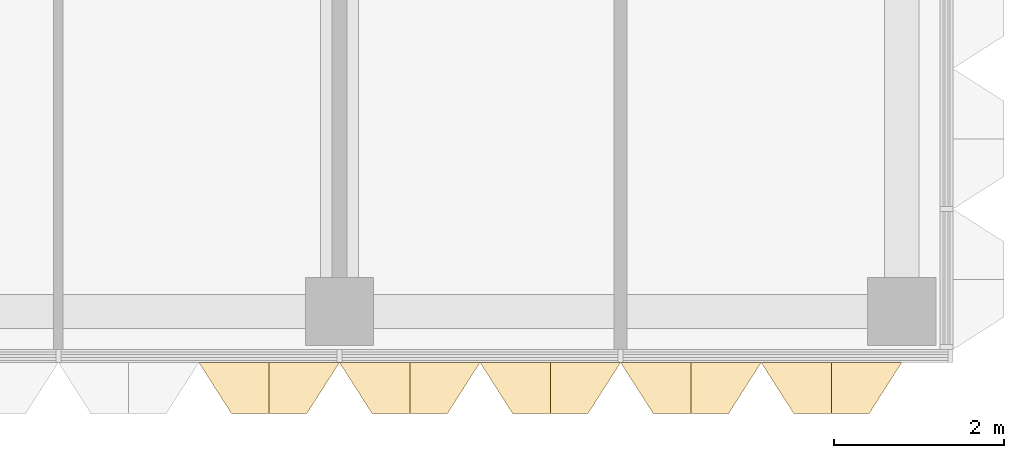
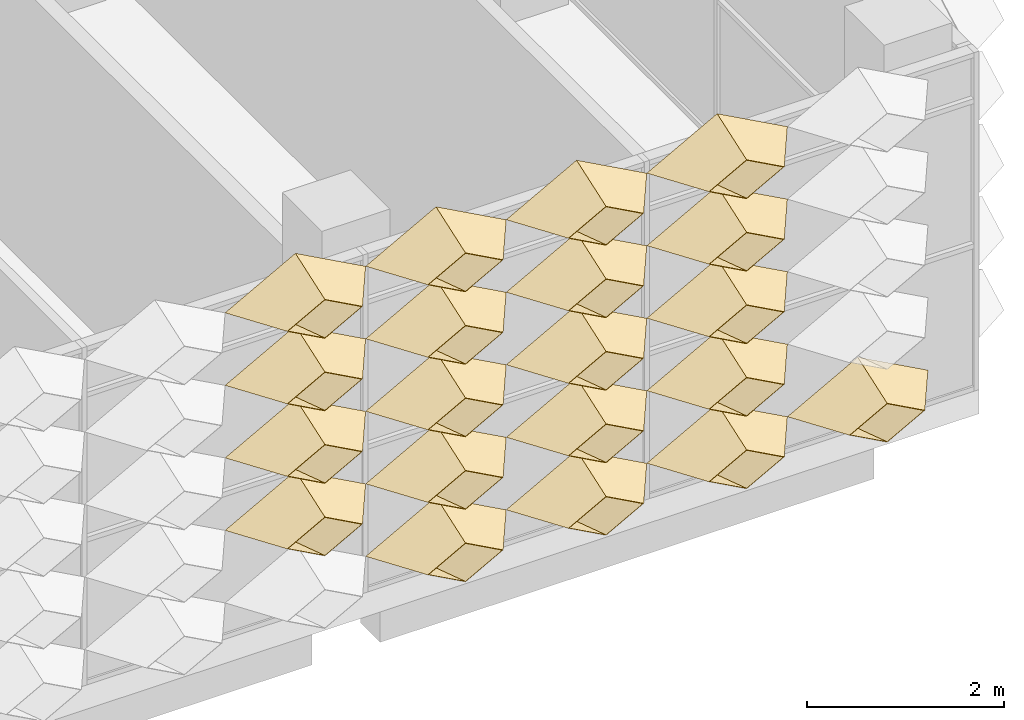
# One storey, part 50 of 61: 20 coverings.
"""IFC4 building model written with IfcOpenShell, lengths in metres."""

from ifc_helpers import new_model, entity, si_unit, direction, frame, origin, place, context, subcontext, project, spatial, material, layer, layer_set, type_object, element, save


model = new_model("IFC4")

# Units and contexts
model_context = context("Model", 3, precision=1e-05, world=origin(), true_north=direction((0.0, 1.0)))
body_context = subcontext(model_context, "Body", "Model", "MODEL_VIEW")
ifc_project = project(units=[si_unit("LENGTHUNIT", "METRE"), si_unit("AREAUNIT", "SQUARE_METRE"), si_unit("VOLUMEUNIT", "CUBIC_METRE"), si_unit("PLANEANGLEUNIT", "RADIAN"), si_unit("MASSUNIT", "GRAM", prefix="KILO")], contexts=[model_context])

# Site, building, storey
site_placement = place(None, origin())
site = spatial("IfcSite", under=ifc_project, at=site_placement, CompositionType="ELEMENT")
building_placement = place(site_placement, origin())
building = spatial("IfcBuilding", under=site, at=building_placement, Name="Lantern Court Research Institute", CompositionType="ELEMENT")
storey_placement = place(building_placement, frame((0.0, 0.0, 23.39990234375)))
storey = spatial("IfcBuildingStorey", under=building, at=storey_placement, Name="L05", CompositionType="ELEMENT", Elevation=23.39990234375)

# Coverings
ifc_material = material(Name="Anodised aluminium", Category="aluminium")
ifc_layer = layer(ifc_material, 0.01611328125)
ifc_layer_set = layer_set([ifc_layer], Name="Anodised aluminium")
covering_type = type_object("IfcCoveringType", Name="Fin cassette 1650 x 900 x 600 aluminium", PredefinedType="CLADDING", material=ifc_layer_set)
covering_1_placement = place(storey_placement, frame((73.425048828125, -8.39990234375, 0.4501953125), z_axis=(0.0, -1.0, 0.0), x_axis=(1.0, 0.0, 0.0)))
cartesian_point_1 = entity("IfcCartesianPoint", [0.824951171875, 0.0])
cartesian_point_2 = entity("IfcCartesianPoint", [0.79150390625, 0.0])
cartesian_point_3 = entity("IfcCartesianPoint", [0.44189453125, 0.0])
cartesian_point_4 = entity("IfcCartesianPoint", [0.43359375, 0.0])
element("IfcCovering", 1, at=covering_1_placement, inside=storey, type_object=covering_type, Name="Fin cassette V5S-L05 1.45", PredefinedType="CLADDING", context=body_context, shape_type="SweptSolid", body=[
    entity("IfcExtrudedAreaSolidTapered", entity("IfcArbitraryProfileDefWithVoids", "AREA", None, entity("IfcPolyline", [cartesian_point_1, entity("IfcCartesianPoint", [0.0, 0.449951171875]), entity("IfcCartesianPoint", [-0.824951171875, 0.0]), entity("IfcCartesianPoint", [0.0, -0.449951171875]), cartesian_point_1]), [entity("IfcPolyline", [cartesian_point_2, entity("IfcCartesianPoint", [0.0, 0.431884765625]), entity("IfcCartesianPoint", [-0.79150390625, 0.0]), entity("IfcCartesianPoint", [0.0, -0.431884765625]), cartesian_point_2])]), entity("IfcAxis2Placement3D", entity("IfcCartesianPoint", [0.0, 0.0, 0.0])), entity("IfcDirection", [0.0, 0.0, 1.0]), 0.60009765625, entity("IfcArbitraryProfileDefWithVoids", "AREA", None, entity("IfcPolyline", [cartesian_point_3, entity("IfcCartesianPoint", [0.0, 0.240966796875]), entity("IfcCartesianPoint", [-0.44189453125, 0.0]), entity("IfcCartesianPoint", [0.0, -0.240966796875]), cartesian_point_3]), [entity("IfcPolyline", [cartesian_point_4, entity("IfcCartesianPoint", [0.0, 0.236572265625]), entity("IfcCartesianPoint", [-0.43359375, 0.0]), entity("IfcCartesianPoint", [0.0, -0.236572265625]), cartesian_point_4])])),
])
covering_2_placement = place(storey_placement, frame((75.074951171875, -8.39990234375, 0.4501953125), z_axis=(0.0, -1.0, 0.0), x_axis=(1.0, 0.0, 0.0)))
cartesian_point_5 = entity("IfcCartesianPoint", [0.824951171875, 0.0])
cartesian_point_6 = entity("IfcCartesianPoint", [0.79150390625, 0.0])
cartesian_point_7 = entity("IfcCartesianPoint", [0.44189453125, 0.0])
cartesian_point_8 = entity("IfcCartesianPoint", [0.43359375, 0.0])
element("IfcCovering", 2, at=covering_2_placement, inside=storey, type_object=covering_type, Name="Fin cassette V5S-L05 1.46", PredefinedType="CLADDING", context=body_context, shape_type="SweptSolid", body=[
    entity("IfcExtrudedAreaSolidTapered", entity("IfcArbitraryProfileDefWithVoids", "AREA", None, entity("IfcPolyline", [cartesian_point_5, entity("IfcCartesianPoint", [0.0, 0.449951171875]), entity("IfcCartesianPoint", [-0.824951171875, 0.0]), entity("IfcCartesianPoint", [0.0, -0.449951171875]), cartesian_point_5]), [entity("IfcPolyline", [cartesian_point_6, entity("IfcCartesianPoint", [0.0, 0.431884765625]), entity("IfcCartesianPoint", [-0.79150390625, 0.0]), entity("IfcCartesianPoint", [0.0, -0.431884765625]), cartesian_point_6])]), entity("IfcAxis2Placement3D", entity("IfcCartesianPoint", [0.0, 0.0, 0.0])), entity("IfcDirection", [0.0, 0.0, 1.0]), 0.60009765625, entity("IfcArbitraryProfileDefWithVoids", "AREA", None, entity("IfcPolyline", [cartesian_point_7, entity("IfcCartesianPoint", [0.0, 0.240966796875]), entity("IfcCartesianPoint", [-0.44189453125, 0.0]), entity("IfcCartesianPoint", [0.0, -0.240966796875]), cartesian_point_7]), [entity("IfcPolyline", [cartesian_point_8, entity("IfcCartesianPoint", [0.0, 0.236572265625]), entity("IfcCartesianPoint", [-0.43359375, 0.0]), entity("IfcCartesianPoint", [0.0, -0.236572265625]), cartesian_point_8])])),
])
covering_3_placement = place(storey_placement, frame((76.72509765625, -8.39990234375, 0.4501953125), z_axis=(0.0, -1.0, 0.0), x_axis=(1.0, 0.0, 0.0)))
cartesian_point_9 = entity("IfcCartesianPoint", [0.824951171875, 0.0])
cartesian_point_10 = entity("IfcCartesianPoint", [0.79150390625, 0.0])
cartesian_point_11 = entity("IfcCartesianPoint", [0.44189453125, 0.0])
cartesian_point_12 = entity("IfcCartesianPoint", [0.43359375, 0.0])
element("IfcCovering", 3, at=covering_3_placement, inside=storey, type_object=covering_type, Name="Fin cassette V5S-L05 1.47", PredefinedType="CLADDING", context=body_context, shape_type="SweptSolid", body=[
    entity("IfcExtrudedAreaSolidTapered", entity("IfcArbitraryProfileDefWithVoids", "AREA", None, entity("IfcPolyline", [cartesian_point_9, entity("IfcCartesianPoint", [0.0, 0.449951171875]), entity("IfcCartesianPoint", [-0.824951171875, 0.0]), entity("IfcCartesianPoint", [0.0, -0.449951171875]), cartesian_point_9]), [entity("IfcPolyline", [cartesian_point_10, entity("IfcCartesianPoint", [0.0, 0.431884765625]), entity("IfcCartesianPoint", [-0.79150390625, 0.0]), entity("IfcCartesianPoint", [0.0, -0.431884765625]), cartesian_point_10])]), entity("IfcAxis2Placement3D", entity("IfcCartesianPoint", [0.0, 0.0, 0.0])), entity("IfcDirection", [0.0, 0.0, 1.0]), 0.60009765625, entity("IfcArbitraryProfileDefWithVoids", "AREA", None, entity("IfcPolyline", [cartesian_point_11, entity("IfcCartesianPoint", [0.0, 0.240966796875]), entity("IfcCartesianPoint", [-0.44189453125, 0.0]), entity("IfcCartesianPoint", [0.0, -0.240966796875]), cartesian_point_11]), [entity("IfcPolyline", [cartesian_point_12, entity("IfcCartesianPoint", [0.0, 0.236572265625]), entity("IfcCartesianPoint", [-0.43359375, 0.0]), entity("IfcCartesianPoint", [0.0, -0.236572265625]), cartesian_point_12])])),
])
covering_4_placement = place(storey_placement, frame((78.375, -8.39990234375, 0.4501953125), z_axis=(0.0, -1.0, 0.0), x_axis=(1.0, 0.0, 0.0)))
cartesian_point_13 = entity("IfcCartesianPoint", [0.824951171875, 0.0])
cartesian_point_14 = entity("IfcCartesianPoint", [0.79150390625, 0.0])
cartesian_point_15 = entity("IfcCartesianPoint", [0.44189453125, 0.0])
cartesian_point_16 = entity("IfcCartesianPoint", [0.43359375, 0.0])
element("IfcCovering", 4, at=covering_4_placement, inside=storey, type_object=covering_type, Name="Fin cassette V5S-L05 1.48", PredefinedType="CLADDING", context=body_context, shape_type="SweptSolid", body=[
    entity("IfcExtrudedAreaSolidTapered", entity("IfcArbitraryProfileDefWithVoids", "AREA", None, entity("IfcPolyline", [cartesian_point_13, entity("IfcCartesianPoint", [0.0, 0.449951171875]), entity("IfcCartesianPoint", [-0.824951171875, 0.0]), entity("IfcCartesianPoint", [0.0, -0.449951171875]), cartesian_point_13]), [entity("IfcPolyline", [cartesian_point_14, entity("IfcCartesianPoint", [0.0, 0.431884765625]), entity("IfcCartesianPoint", [-0.79150390625, 0.0]), entity("IfcCartesianPoint", [0.0, -0.431884765625]), cartesian_point_14])]), entity("IfcAxis2Placement3D", entity("IfcCartesianPoint", [0.0, 0.0, 0.0])), entity("IfcDirection", [0.0, 0.0, 1.0]), 0.60009765625, entity("IfcArbitraryProfileDefWithVoids", "AREA", None, entity("IfcPolyline", [cartesian_point_15, entity("IfcCartesianPoint", [0.0, 0.240966796875]), entity("IfcCartesianPoint", [-0.44189453125, 0.0]), entity("IfcCartesianPoint", [0.0, -0.240966796875]), cartesian_point_15]), [entity("IfcPolyline", [cartesian_point_16, entity("IfcCartesianPoint", [0.0, 0.236572265625]), entity("IfcCartesianPoint", [-0.43359375, 0.0]), entity("IfcCartesianPoint", [0.0, -0.236572265625]), cartesian_point_16])])),
])
covering_5_placement = place(storey_placement, frame((71.77490234375, -8.39990234375, 1.35009765625), z_axis=(0.0, -1.0, 0.0), x_axis=(1.0, 0.0, 0.0)))
cartesian_point_17 = entity("IfcCartesianPoint", [0.824951171875, 0.0])
cartesian_point_18 = entity("IfcCartesianPoint", [0.79150390625, 0.0])
cartesian_point_19 = entity("IfcCartesianPoint", [0.44189453125, 0.0])
cartesian_point_20 = entity("IfcCartesianPoint", [0.43359375, 0.0])
element("IfcCovering", 5, at=covering_5_placement, inside=storey, type_object=covering_type, Name="Fin cassette V5S-L05 2.44", PredefinedType="CLADDING", context=body_context, shape_type="SweptSolid", body=[
    entity("IfcExtrudedAreaSolidTapered", entity("IfcArbitraryProfileDefWithVoids", "AREA", None, entity("IfcPolyline", [cartesian_point_17, entity("IfcCartesianPoint", [0.0, 0.449951171875]), entity("IfcCartesianPoint", [-0.824951171875, 0.0]), entity("IfcCartesianPoint", [0.0, -0.449951171875]), cartesian_point_17]), [entity("IfcPolyline", [cartesian_point_18, entity("IfcCartesianPoint", [0.0, 0.431884765625]), entity("IfcCartesianPoint", [-0.79150390625, 0.0]), entity("IfcCartesianPoint", [0.0, -0.431884765625]), cartesian_point_18])]), entity("IfcAxis2Placement3D", entity("IfcCartesianPoint", [0.0, 0.0, 0.0])), entity("IfcDirection", [0.0, 0.0, 1.0]), 0.60009765625, entity("IfcArbitraryProfileDefWithVoids", "AREA", None, entity("IfcPolyline", [cartesian_point_19, entity("IfcCartesianPoint", [0.0, 0.240966796875]), entity("IfcCartesianPoint", [-0.44189453125, 0.0]), entity("IfcCartesianPoint", [0.0, -0.240966796875]), cartesian_point_19]), [entity("IfcPolyline", [cartesian_point_20, entity("IfcCartesianPoint", [0.0, 0.236572265625]), entity("IfcCartesianPoint", [-0.43359375, 0.0]), entity("IfcCartesianPoint", [0.0, -0.236572265625]), cartesian_point_20])])),
])
covering_6_placement = place(storey_placement, frame((73.425048828125, -8.39990234375, 1.35009765625), z_axis=(0.0, -1.0, 0.0), x_axis=(1.0, 0.0, 0.0)))
cartesian_point_21 = entity("IfcCartesianPoint", [0.824951171875, 0.0])
cartesian_point_22 = entity("IfcCartesianPoint", [0.79150390625, 0.0])
cartesian_point_23 = entity("IfcCartesianPoint", [0.44189453125, 0.0])
cartesian_point_24 = entity("IfcCartesianPoint", [0.43359375, 0.0])
element("IfcCovering", 6, at=covering_6_placement, inside=storey, type_object=covering_type, Name="Fin cassette V5S-L05 2.45", PredefinedType="CLADDING", context=body_context, shape_type="SweptSolid", body=[
    entity("IfcExtrudedAreaSolidTapered", entity("IfcArbitraryProfileDefWithVoids", "AREA", None, entity("IfcPolyline", [cartesian_point_21, entity("IfcCartesianPoint", [0.0, 0.449951171875]), entity("IfcCartesianPoint", [-0.824951171875, 0.0]), entity("IfcCartesianPoint", [0.0, -0.449951171875]), cartesian_point_21]), [entity("IfcPolyline", [cartesian_point_22, entity("IfcCartesianPoint", [0.0, 0.431884765625]), entity("IfcCartesianPoint", [-0.79150390625, 0.0]), entity("IfcCartesianPoint", [0.0, -0.431884765625]), cartesian_point_22])]), entity("IfcAxis2Placement3D", entity("IfcCartesianPoint", [0.0, 0.0, 0.0])), entity("IfcDirection", [0.0, 0.0, 1.0]), 0.60009765625, entity("IfcArbitraryProfileDefWithVoids", "AREA", None, entity("IfcPolyline", [cartesian_point_23, entity("IfcCartesianPoint", [0.0, 0.240966796875]), entity("IfcCartesianPoint", [-0.44189453125, 0.0]), entity("IfcCartesianPoint", [0.0, -0.240966796875]), cartesian_point_23]), [entity("IfcPolyline", [cartesian_point_24, entity("IfcCartesianPoint", [0.0, 0.236572265625]), entity("IfcCartesianPoint", [-0.43359375, 0.0]), entity("IfcCartesianPoint", [0.0, -0.236572265625]), cartesian_point_24])])),
])
covering_7_placement = place(storey_placement, frame((75.074951171875, -8.39990234375, 1.35009765625), z_axis=(0.0, -1.0, 0.0), x_axis=(1.0, 0.0, 0.0)))
cartesian_point_25 = entity("IfcCartesianPoint", [0.824951171875, 0.0])
cartesian_point_26 = entity("IfcCartesianPoint", [0.79150390625, 0.0])
cartesian_point_27 = entity("IfcCartesianPoint", [0.44189453125, 0.0])
cartesian_point_28 = entity("IfcCartesianPoint", [0.43359375, 0.0])
element("IfcCovering", 7, at=covering_7_placement, inside=storey, type_object=covering_type, Name="Fin cassette V5S-L05 2.46", PredefinedType="CLADDING", context=body_context, shape_type="SweptSolid", body=[
    entity("IfcExtrudedAreaSolidTapered", entity("IfcArbitraryProfileDefWithVoids", "AREA", None, entity("IfcPolyline", [cartesian_point_25, entity("IfcCartesianPoint", [0.0, 0.449951171875]), entity("IfcCartesianPoint", [-0.824951171875, 0.0]), entity("IfcCartesianPoint", [0.0, -0.449951171875]), cartesian_point_25]), [entity("IfcPolyline", [cartesian_point_26, entity("IfcCartesianPoint", [0.0, 0.431884765625]), entity("IfcCartesianPoint", [-0.79150390625, 0.0]), entity("IfcCartesianPoint", [0.0, -0.431884765625]), cartesian_point_26])]), entity("IfcAxis2Placement3D", entity("IfcCartesianPoint", [0.0, 0.0, 0.0])), entity("IfcDirection", [0.0, 0.0, 1.0]), 0.60009765625, entity("IfcArbitraryProfileDefWithVoids", "AREA", None, entity("IfcPolyline", [cartesian_point_27, entity("IfcCartesianPoint", [0.0, 0.240966796875]), entity("IfcCartesianPoint", [-0.44189453125, 0.0]), entity("IfcCartesianPoint", [0.0, -0.240966796875]), cartesian_point_27]), [entity("IfcPolyline", [cartesian_point_28, entity("IfcCartesianPoint", [0.0, 0.236572265625]), entity("IfcCartesianPoint", [-0.43359375, 0.0]), entity("IfcCartesianPoint", [0.0, -0.236572265625]), cartesian_point_28])])),
])
covering_8_placement = place(storey_placement, frame((76.72509765625, -8.39990234375, 1.35009765625), z_axis=(0.0, -1.0, 0.0), x_axis=(1.0, 0.0, 0.0)))
cartesian_point_29 = entity("IfcCartesianPoint", [0.824951171875, 0.0])
cartesian_point_30 = entity("IfcCartesianPoint", [0.79150390625, 0.0])
cartesian_point_31 = entity("IfcCartesianPoint", [0.44189453125, 0.0])
cartesian_point_32 = entity("IfcCartesianPoint", [0.43359375, 0.0])
element("IfcCovering", 8, at=covering_8_placement, inside=storey, type_object=covering_type, Name="Fin cassette V5S-L05 2.47", PredefinedType="CLADDING", context=body_context, shape_type="SweptSolid", body=[
    entity("IfcExtrudedAreaSolidTapered", entity("IfcArbitraryProfileDefWithVoids", "AREA", None, entity("IfcPolyline", [cartesian_point_29, entity("IfcCartesianPoint", [0.0, 0.449951171875]), entity("IfcCartesianPoint", [-0.824951171875, 0.0]), entity("IfcCartesianPoint", [0.0, -0.449951171875]), cartesian_point_29]), [entity("IfcPolyline", [cartesian_point_30, entity("IfcCartesianPoint", [0.0, 0.431884765625]), entity("IfcCartesianPoint", [-0.79150390625, 0.0]), entity("IfcCartesianPoint", [0.0, -0.431884765625]), cartesian_point_30])]), entity("IfcAxis2Placement3D", entity("IfcCartesianPoint", [0.0, 0.0, 0.0])), entity("IfcDirection", [0.0, 0.0, 1.0]), 0.60009765625, entity("IfcArbitraryProfileDefWithVoids", "AREA", None, entity("IfcPolyline", [cartesian_point_31, entity("IfcCartesianPoint", [0.0, 0.240966796875]), entity("IfcCartesianPoint", [-0.44189453125, 0.0]), entity("IfcCartesianPoint", [0.0, -0.240966796875]), cartesian_point_31]), [entity("IfcPolyline", [cartesian_point_32, entity("IfcCartesianPoint", [0.0, 0.236572265625]), entity("IfcCartesianPoint", [-0.43359375, 0.0]), entity("IfcCartesianPoint", [0.0, -0.236572265625]), cartesian_point_32])])),
])
covering_9_placement = place(storey_placement, frame((71.77490234375, -8.39990234375, 2.25), z_axis=(0.0, -1.0, 0.0), x_axis=(1.0, 0.0, 0.0)))
cartesian_point_33 = entity("IfcCartesianPoint", [0.824951171875, 0.0])
cartesian_point_34 = entity("IfcCartesianPoint", [0.79150390625, 0.0])
cartesian_point_35 = entity("IfcCartesianPoint", [0.44189453125, 0.0])
cartesian_point_36 = entity("IfcCartesianPoint", [0.43359375, 0.0])
element("IfcCovering", 9, at=covering_9_placement, inside=storey, type_object=covering_type, Name="Fin cassette V5S-L05 3.44", PredefinedType="CLADDING", context=body_context, shape_type="SweptSolid", body=[
    entity("IfcExtrudedAreaSolidTapered", entity("IfcArbitraryProfileDefWithVoids", "AREA", None, entity("IfcPolyline", [cartesian_point_33, entity("IfcCartesianPoint", [0.0, 0.449951171875]), entity("IfcCartesianPoint", [-0.824951171875, 0.0]), entity("IfcCartesianPoint", [0.0, -0.449951171875]), cartesian_point_33]), [entity("IfcPolyline", [cartesian_point_34, entity("IfcCartesianPoint", [0.0, 0.431884765625]), entity("IfcCartesianPoint", [-0.79150390625, 0.0]), entity("IfcCartesianPoint", [0.0, -0.431884765625]), cartesian_point_34])]), entity("IfcAxis2Placement3D", entity("IfcCartesianPoint", [0.0, 0.0, 0.0])), entity("IfcDirection", [0.0, 0.0, 1.0]), 0.60009765625, entity("IfcArbitraryProfileDefWithVoids", "AREA", None, entity("IfcPolyline", [cartesian_point_35, entity("IfcCartesianPoint", [0.0, 0.240966796875]), entity("IfcCartesianPoint", [-0.44189453125, 0.0]), entity("IfcCartesianPoint", [0.0, -0.240966796875]), cartesian_point_35]), [entity("IfcPolyline", [cartesian_point_36, entity("IfcCartesianPoint", [0.0, 0.236572265625]), entity("IfcCartesianPoint", [-0.43359375, 0.0]), entity("IfcCartesianPoint", [0.0, -0.236572265625]), cartesian_point_36])])),
])
covering_10_placement = place(storey_placement, frame((73.425048828125, -8.39990234375, 2.25), z_axis=(0.0, -1.0, 0.0), x_axis=(1.0, 0.0, 0.0)))
cartesian_point_37 = entity("IfcCartesianPoint", [0.824951171875, 0.0])
cartesian_point_38 = entity("IfcCartesianPoint", [0.79150390625, 0.0])
cartesian_point_39 = entity("IfcCartesianPoint", [0.44189453125, 0.0])
cartesian_point_40 = entity("IfcCartesianPoint", [0.43359375, 0.0])
element("IfcCovering", 10, at=covering_10_placement, inside=storey, type_object=covering_type, Name="Fin cassette V5S-L05 3.45", PredefinedType="CLADDING", context=body_context, shape_type="SweptSolid", body=[
    entity("IfcExtrudedAreaSolidTapered", entity("IfcArbitraryProfileDefWithVoids", "AREA", None, entity("IfcPolyline", [cartesian_point_37, entity("IfcCartesianPoint", [0.0, 0.449951171875]), entity("IfcCartesianPoint", [-0.824951171875, 0.0]), entity("IfcCartesianPoint", [0.0, -0.449951171875]), cartesian_point_37]), [entity("IfcPolyline", [cartesian_point_38, entity("IfcCartesianPoint", [0.0, 0.431884765625]), entity("IfcCartesianPoint", [-0.79150390625, 0.0]), entity("IfcCartesianPoint", [0.0, -0.431884765625]), cartesian_point_38])]), entity("IfcAxis2Placement3D", entity("IfcCartesianPoint", [0.0, 0.0, 0.0])), entity("IfcDirection", [0.0, 0.0, 1.0]), 0.60009765625, entity("IfcArbitraryProfileDefWithVoids", "AREA", None, entity("IfcPolyline", [cartesian_point_39, entity("IfcCartesianPoint", [0.0, 0.240966796875]), entity("IfcCartesianPoint", [-0.44189453125, 0.0]), entity("IfcCartesianPoint", [0.0, -0.240966796875]), cartesian_point_39]), [entity("IfcPolyline", [cartesian_point_40, entity("IfcCartesianPoint", [0.0, 0.236572265625]), entity("IfcCartesianPoint", [-0.43359375, 0.0]), entity("IfcCartesianPoint", [0.0, -0.236572265625]), cartesian_point_40])])),
])
covering_11_placement = place(storey_placement, frame((75.074951171875, -8.39990234375, 2.25), z_axis=(0.0, -1.0, 0.0), x_axis=(1.0, 0.0, 0.0)))
cartesian_point_41 = entity("IfcCartesianPoint", [0.824951171875, 0.0])
cartesian_point_42 = entity("IfcCartesianPoint", [0.79150390625, 0.0])
cartesian_point_43 = entity("IfcCartesianPoint", [0.44189453125, 0.0])
cartesian_point_44 = entity("IfcCartesianPoint", [0.43359375, 0.0])
element("IfcCovering", 11, at=covering_11_placement, inside=storey, type_object=covering_type, Name="Fin cassette V5S-L05 3.46", PredefinedType="CLADDING", context=body_context, shape_type="SweptSolid", body=[
    entity("IfcExtrudedAreaSolidTapered", entity("IfcArbitraryProfileDefWithVoids", "AREA", None, entity("IfcPolyline", [cartesian_point_41, entity("IfcCartesianPoint", [0.0, 0.449951171875]), entity("IfcCartesianPoint", [-0.824951171875, 0.0]), entity("IfcCartesianPoint", [0.0, -0.449951171875]), cartesian_point_41]), [entity("IfcPolyline", [cartesian_point_42, entity("IfcCartesianPoint", [0.0, 0.431884765625]), entity("IfcCartesianPoint", [-0.79150390625, 0.0]), entity("IfcCartesianPoint", [0.0, -0.431884765625]), cartesian_point_42])]), entity("IfcAxis2Placement3D", entity("IfcCartesianPoint", [0.0, 0.0, 0.0])), entity("IfcDirection", [0.0, 0.0, 1.0]), 0.60009765625, entity("IfcArbitraryProfileDefWithVoids", "AREA", None, entity("IfcPolyline", [cartesian_point_43, entity("IfcCartesianPoint", [0.0, 0.240966796875]), entity("IfcCartesianPoint", [-0.44189453125, 0.0]), entity("IfcCartesianPoint", [0.0, -0.240966796875]), cartesian_point_43]), [entity("IfcPolyline", [cartesian_point_44, entity("IfcCartesianPoint", [0.0, 0.236572265625]), entity("IfcCartesianPoint", [-0.43359375, 0.0]), entity("IfcCartesianPoint", [0.0, -0.236572265625]), cartesian_point_44])])),
])
covering_12_placement = place(storey_placement, frame((76.72509765625, -8.39990234375, 2.25), z_axis=(0.0, -1.0, 0.0), x_axis=(1.0, 0.0, 0.0)))
cartesian_point_45 = entity("IfcCartesianPoint", [0.824951171875, 0.0])
cartesian_point_46 = entity("IfcCartesianPoint", [0.79150390625, 0.0])
cartesian_point_47 = entity("IfcCartesianPoint", [0.44189453125, 0.0])
cartesian_point_48 = entity("IfcCartesianPoint", [0.43359375, 0.0])
element("IfcCovering", 12, at=covering_12_placement, inside=storey, type_object=covering_type, Name="Fin cassette V5S-L05 3.47", PredefinedType="CLADDING", context=body_context, shape_type="SweptSolid", body=[
    entity("IfcExtrudedAreaSolidTapered", entity("IfcArbitraryProfileDefWithVoids", "AREA", None, entity("IfcPolyline", [cartesian_point_45, entity("IfcCartesianPoint", [0.0, 0.449951171875]), entity("IfcCartesianPoint", [-0.824951171875, 0.0]), entity("IfcCartesianPoint", [0.0, -0.449951171875]), cartesian_point_45]), [entity("IfcPolyline", [cartesian_point_46, entity("IfcCartesianPoint", [0.0, 0.431884765625]), entity("IfcCartesianPoint", [-0.79150390625, 0.0]), entity("IfcCartesianPoint", [0.0, -0.431884765625]), cartesian_point_46])]), entity("IfcAxis2Placement3D", entity("IfcCartesianPoint", [0.0, 0.0, 0.0])), entity("IfcDirection", [0.0, 0.0, 1.0]), 0.60009765625, entity("IfcArbitraryProfileDefWithVoids", "AREA", None, entity("IfcPolyline", [cartesian_point_47, entity("IfcCartesianPoint", [0.0, 0.240966796875]), entity("IfcCartesianPoint", [-0.44189453125, 0.0]), entity("IfcCartesianPoint", [0.0, -0.240966796875]), cartesian_point_47]), [entity("IfcPolyline", [cartesian_point_48, entity("IfcCartesianPoint", [0.0, 0.236572265625]), entity("IfcCartesianPoint", [-0.43359375, 0.0]), entity("IfcCartesianPoint", [0.0, -0.236572265625]), cartesian_point_48])])),
])
covering_13_placement = place(storey_placement, frame((71.77490234375, -8.39990234375, 3.150146484375), z_axis=(0.0, -1.0, 0.0), x_axis=(1.0, 0.0, 0.0)))
cartesian_point_49 = entity("IfcCartesianPoint", [0.824951171875, 0.0])
cartesian_point_50 = entity("IfcCartesianPoint", [0.79150390625, 0.0])
cartesian_point_51 = entity("IfcCartesianPoint", [0.44189453125, 0.0])
cartesian_point_52 = entity("IfcCartesianPoint", [0.43359375, 0.0])
element("IfcCovering", 13, at=covering_13_placement, inside=storey, type_object=covering_type, Name="Fin cassette V5S-L05 4.44", PredefinedType="CLADDING", context=body_context, shape_type="SweptSolid", body=[
    entity("IfcExtrudedAreaSolidTapered", entity("IfcArbitraryProfileDefWithVoids", "AREA", None, entity("IfcPolyline", [cartesian_point_49, entity("IfcCartesianPoint", [0.0, 0.449951171875]), entity("IfcCartesianPoint", [-0.824951171875, 0.0]), entity("IfcCartesianPoint", [0.0, -0.449951171875]), cartesian_point_49]), [entity("IfcPolyline", [cartesian_point_50, entity("IfcCartesianPoint", [0.0, 0.431884765625]), entity("IfcCartesianPoint", [-0.79150390625, 0.0]), entity("IfcCartesianPoint", [0.0, -0.431884765625]), cartesian_point_50])]), entity("IfcAxis2Placement3D", entity("IfcCartesianPoint", [0.0, 0.0, 0.0])), entity("IfcDirection", [0.0, 0.0, 1.0]), 0.60009765625, entity("IfcArbitraryProfileDefWithVoids", "AREA", None, entity("IfcPolyline", [cartesian_point_51, entity("IfcCartesianPoint", [0.0, 0.240966796875]), entity("IfcCartesianPoint", [-0.44189453125, 0.0]), entity("IfcCartesianPoint", [0.0, -0.240966796875]), cartesian_point_51]), [entity("IfcPolyline", [cartesian_point_52, entity("IfcCartesianPoint", [0.0, 0.236572265625]), entity("IfcCartesianPoint", [-0.43359375, 0.0]), entity("IfcCartesianPoint", [0.0, -0.236572265625]), cartesian_point_52])])),
])
covering_14_placement = place(storey_placement, frame((73.425048828125, -8.39990234375, 3.150146484375), z_axis=(0.0, -1.0, 0.0), x_axis=(1.0, 0.0, 0.0)))
cartesian_point_53 = entity("IfcCartesianPoint", [0.824951171875, 0.0])
cartesian_point_54 = entity("IfcCartesianPoint", [0.79150390625, 0.0])
cartesian_point_55 = entity("IfcCartesianPoint", [0.44189453125, 0.0])
cartesian_point_56 = entity("IfcCartesianPoint", [0.43359375, 0.0])
element("IfcCovering", 14, at=covering_14_placement, inside=storey, type_object=covering_type, Name="Fin cassette V5S-L05 4.45", PredefinedType="CLADDING", context=body_context, shape_type="SweptSolid", body=[
    entity("IfcExtrudedAreaSolidTapered", entity("IfcArbitraryProfileDefWithVoids", "AREA", None, entity("IfcPolyline", [cartesian_point_53, entity("IfcCartesianPoint", [0.0, 0.449951171875]), entity("IfcCartesianPoint", [-0.824951171875, 0.0]), entity("IfcCartesianPoint", [0.0, -0.449951171875]), cartesian_point_53]), [entity("IfcPolyline", [cartesian_point_54, entity("IfcCartesianPoint", [0.0, 0.431884765625]), entity("IfcCartesianPoint", [-0.79150390625, 0.0]), entity("IfcCartesianPoint", [0.0, -0.431884765625]), cartesian_point_54])]), entity("IfcAxis2Placement3D", entity("IfcCartesianPoint", [0.0, 0.0, 0.0])), entity("IfcDirection", [0.0, 0.0, 1.0]), 0.60009765625, entity("IfcArbitraryProfileDefWithVoids", "AREA", None, entity("IfcPolyline", [cartesian_point_55, entity("IfcCartesianPoint", [0.0, 0.240966796875]), entity("IfcCartesianPoint", [-0.44189453125, 0.0]), entity("IfcCartesianPoint", [0.0, -0.240966796875]), cartesian_point_55]), [entity("IfcPolyline", [cartesian_point_56, entity("IfcCartesianPoint", [0.0, 0.236572265625]), entity("IfcCartesianPoint", [-0.43359375, 0.0]), entity("IfcCartesianPoint", [0.0, -0.236572265625]), cartesian_point_56])])),
])
covering_15_placement = place(storey_placement, frame((75.074951171875, -8.39990234375, 3.150146484375), z_axis=(0.0, -1.0, 0.0), x_axis=(1.0, 0.0, 0.0)))
cartesian_point_57 = entity("IfcCartesianPoint", [0.824951171875, 0.0])
cartesian_point_58 = entity("IfcCartesianPoint", [0.79150390625, 0.0])
cartesian_point_59 = entity("IfcCartesianPoint", [0.44189453125, 0.0])
cartesian_point_60 = entity("IfcCartesianPoint", [0.43359375, 0.0])
element("IfcCovering", 15, at=covering_15_placement, inside=storey, type_object=covering_type, Name="Fin cassette V5S-L05 4.46", PredefinedType="CLADDING", context=body_context, shape_type="SweptSolid", body=[
    entity("IfcExtrudedAreaSolidTapered", entity("IfcArbitraryProfileDefWithVoids", "AREA", None, entity("IfcPolyline", [cartesian_point_57, entity("IfcCartesianPoint", [0.0, 0.449951171875]), entity("IfcCartesianPoint", [-0.824951171875, 0.0]), entity("IfcCartesianPoint", [0.0, -0.449951171875]), cartesian_point_57]), [entity("IfcPolyline", [cartesian_point_58, entity("IfcCartesianPoint", [0.0, 0.431884765625]), entity("IfcCartesianPoint", [-0.79150390625, 0.0]), entity("IfcCartesianPoint", [0.0, -0.431884765625]), cartesian_point_58])]), entity("IfcAxis2Placement3D", entity("IfcCartesianPoint", [0.0, 0.0, 0.0])), entity("IfcDirection", [0.0, 0.0, 1.0]), 0.60009765625, entity("IfcArbitraryProfileDefWithVoids", "AREA", None, entity("IfcPolyline", [cartesian_point_59, entity("IfcCartesianPoint", [0.0, 0.240966796875]), entity("IfcCartesianPoint", [-0.44189453125, 0.0]), entity("IfcCartesianPoint", [0.0, -0.240966796875]), cartesian_point_59]), [entity("IfcPolyline", [cartesian_point_60, entity("IfcCartesianPoint", [0.0, 0.236572265625]), entity("IfcCartesianPoint", [-0.43359375, 0.0]), entity("IfcCartesianPoint", [0.0, -0.236572265625]), cartesian_point_60])])),
])
covering_16_placement = place(storey_placement, frame((76.72509765625, -8.39990234375, 3.150146484375), z_axis=(0.0, -1.0, 0.0), x_axis=(1.0, 0.0, 0.0)))
cartesian_point_61 = entity("IfcCartesianPoint", [0.824951171875, 0.0])
cartesian_point_62 = entity("IfcCartesianPoint", [0.79150390625, 0.0])
cartesian_point_63 = entity("IfcCartesianPoint", [0.44189453125, 0.0])
cartesian_point_64 = entity("IfcCartesianPoint", [0.43359375, 0.0])
element("IfcCovering", 16, at=covering_16_placement, inside=storey, type_object=covering_type, Name="Fin cassette V5S-L05 4.47", PredefinedType="CLADDING", context=body_context, shape_type="SweptSolid", body=[
    entity("IfcExtrudedAreaSolidTapered", entity("IfcArbitraryProfileDefWithVoids", "AREA", None, entity("IfcPolyline", [cartesian_point_61, entity("IfcCartesianPoint", [0.0, 0.449951171875]), entity("IfcCartesianPoint", [-0.824951171875, 0.0]), entity("IfcCartesianPoint", [0.0, -0.449951171875]), cartesian_point_61]), [entity("IfcPolyline", [cartesian_point_62, entity("IfcCartesianPoint", [0.0, 0.431884765625]), entity("IfcCartesianPoint", [-0.79150390625, 0.0]), entity("IfcCartesianPoint", [0.0, -0.431884765625]), cartesian_point_62])]), entity("IfcAxis2Placement3D", entity("IfcCartesianPoint", [0.0, 0.0, 0.0])), entity("IfcDirection", [0.0, 0.0, 1.0]), 0.60009765625, entity("IfcArbitraryProfileDefWithVoids", "AREA", None, entity("IfcPolyline", [cartesian_point_63, entity("IfcCartesianPoint", [0.0, 0.240966796875]), entity("IfcCartesianPoint", [-0.44189453125, 0.0]), entity("IfcCartesianPoint", [0.0, -0.240966796875]), cartesian_point_63]), [entity("IfcPolyline", [cartesian_point_64, entity("IfcCartesianPoint", [0.0, 0.236572265625]), entity("IfcCartesianPoint", [-0.43359375, 0.0]), entity("IfcCartesianPoint", [0.0, -0.236572265625]), cartesian_point_64])])),
])
covering_17_placement = place(storey_placement, frame((71.77490234375, -8.39990234375, 4.050048828125), z_axis=(0.0, -1.0, 0.0), x_axis=(1.0, 0.0, 0.0)))
cartesian_point_65 = entity("IfcCartesianPoint", [0.824951171875, 0.0])
cartesian_point_66 = entity("IfcCartesianPoint", [0.79150390625, 0.0])
cartesian_point_67 = entity("IfcCartesianPoint", [0.44189453125, 0.0])
cartesian_point_68 = entity("IfcCartesianPoint", [0.43359375, 0.0])
element("IfcCovering", 17, at=covering_17_placement, inside=storey, type_object=covering_type, Name="Fin cassette V5S-L05 5.44", PredefinedType="CLADDING", context=body_context, shape_type="SweptSolid", body=[
    entity("IfcExtrudedAreaSolidTapered", entity("IfcArbitraryProfileDefWithVoids", "AREA", None, entity("IfcPolyline", [cartesian_point_65, entity("IfcCartesianPoint", [0.0, 0.449951171875]), entity("IfcCartesianPoint", [-0.824951171875, 0.0]), entity("IfcCartesianPoint", [0.0, -0.449951171875]), cartesian_point_65]), [entity("IfcPolyline", [cartesian_point_66, entity("IfcCartesianPoint", [0.0, 0.431884765625]), entity("IfcCartesianPoint", [-0.79150390625, 0.0]), entity("IfcCartesianPoint", [0.0, -0.431884765625]), cartesian_point_66])]), entity("IfcAxis2Placement3D", entity("IfcCartesianPoint", [0.0, 0.0, 0.0])), entity("IfcDirection", [0.0, 0.0, 1.0]), 0.60009765625, entity("IfcArbitraryProfileDefWithVoids", "AREA", None, entity("IfcPolyline", [cartesian_point_67, entity("IfcCartesianPoint", [0.0, 0.240966796875]), entity("IfcCartesianPoint", [-0.44189453125, 0.0]), entity("IfcCartesianPoint", [0.0, -0.240966796875]), cartesian_point_67]), [entity("IfcPolyline", [cartesian_point_68, entity("IfcCartesianPoint", [0.0, 0.236572265625]), entity("IfcCartesianPoint", [-0.43359375, 0.0]), entity("IfcCartesianPoint", [0.0, -0.236572265625]), cartesian_point_68])])),
])
covering_18_placement = place(storey_placement, frame((73.425048828125, -8.39990234375, 4.050048828125), z_axis=(0.0, -1.0, 0.0), x_axis=(1.0, 0.0, 0.0)))
cartesian_point_69 = entity("IfcCartesianPoint", [0.824951171875, 0.0])
cartesian_point_70 = entity("IfcCartesianPoint", [0.79150390625, 0.0])
cartesian_point_71 = entity("IfcCartesianPoint", [0.44189453125, 0.0])
cartesian_point_72 = entity("IfcCartesianPoint", [0.43359375, 0.0])
element("IfcCovering", 18, at=covering_18_placement, inside=storey, type_object=covering_type, Name="Fin cassette V5S-L05 5.45", PredefinedType="CLADDING", context=body_context, shape_type="SweptSolid", body=[
    entity("IfcExtrudedAreaSolidTapered", entity("IfcArbitraryProfileDefWithVoids", "AREA", None, entity("IfcPolyline", [cartesian_point_69, entity("IfcCartesianPoint", [0.0, 0.449951171875]), entity("IfcCartesianPoint", [-0.824951171875, 0.0]), entity("IfcCartesianPoint", [0.0, -0.449951171875]), cartesian_point_69]), [entity("IfcPolyline", [cartesian_point_70, entity("IfcCartesianPoint", [0.0, 0.431884765625]), entity("IfcCartesianPoint", [-0.79150390625, 0.0]), entity("IfcCartesianPoint", [0.0, -0.431884765625]), cartesian_point_70])]), entity("IfcAxis2Placement3D", entity("IfcCartesianPoint", [0.0, 0.0, 0.0])), entity("IfcDirection", [0.0, 0.0, 1.0]), 0.60009765625, entity("IfcArbitraryProfileDefWithVoids", "AREA", None, entity("IfcPolyline", [cartesian_point_71, entity("IfcCartesianPoint", [0.0, 0.240966796875]), entity("IfcCartesianPoint", [-0.44189453125, 0.0]), entity("IfcCartesianPoint", [0.0, -0.240966796875]), cartesian_point_71]), [entity("IfcPolyline", [cartesian_point_72, entity("IfcCartesianPoint", [0.0, 0.236572265625]), entity("IfcCartesianPoint", [-0.43359375, 0.0]), entity("IfcCartesianPoint", [0.0, -0.236572265625]), cartesian_point_72])])),
])
covering_19_placement = place(storey_placement, frame((75.074951171875, -8.39990234375, 4.050048828125), z_axis=(0.0, -1.0, 0.0), x_axis=(1.0, 0.0, 0.0)))
cartesian_point_73 = entity("IfcCartesianPoint", [0.824951171875, 0.0])
cartesian_point_74 = entity("IfcCartesianPoint", [0.79150390625, 0.0])
cartesian_point_75 = entity("IfcCartesianPoint", [0.44189453125, 0.0])
cartesian_point_76 = entity("IfcCartesianPoint", [0.43359375, 0.0])
element("IfcCovering", 19, at=covering_19_placement, inside=storey, type_object=covering_type, Name="Fin cassette V5S-L05 5.46", PredefinedType="CLADDING", context=body_context, shape_type="SweptSolid", body=[
    entity("IfcExtrudedAreaSolidTapered", entity("IfcArbitraryProfileDefWithVoids", "AREA", None, entity("IfcPolyline", [cartesian_point_73, entity("IfcCartesianPoint", [0.0, 0.449951171875]), entity("IfcCartesianPoint", [-0.824951171875, 0.0]), entity("IfcCartesianPoint", [0.0, -0.449951171875]), cartesian_point_73]), [entity("IfcPolyline", [cartesian_point_74, entity("IfcCartesianPoint", [0.0, 0.431884765625]), entity("IfcCartesianPoint", [-0.79150390625, 0.0]), entity("IfcCartesianPoint", [0.0, -0.431884765625]), cartesian_point_74])]), entity("IfcAxis2Placement3D", entity("IfcCartesianPoint", [0.0, 0.0, 0.0])), entity("IfcDirection", [0.0, 0.0, 1.0]), 0.60009765625, entity("IfcArbitraryProfileDefWithVoids", "AREA", None, entity("IfcPolyline", [cartesian_point_75, entity("IfcCartesianPoint", [0.0, 0.240966796875]), entity("IfcCartesianPoint", [-0.44189453125, 0.0]), entity("IfcCartesianPoint", [0.0, -0.240966796875]), cartesian_point_75]), [entity("IfcPolyline", [cartesian_point_76, entity("IfcCartesianPoint", [0.0, 0.236572265625]), entity("IfcCartesianPoint", [-0.43359375, 0.0]), entity("IfcCartesianPoint", [0.0, -0.236572265625]), cartesian_point_76])])),
])
covering_20_placement = place(storey_placement, frame((76.72509765625, -8.39990234375, 4.050048828125), z_axis=(0.0, -1.0, 0.0), x_axis=(1.0, 0.0, 0.0)))
cartesian_point_77 = entity("IfcCartesianPoint", [0.824951171875, 0.0])
cartesian_point_78 = entity("IfcCartesianPoint", [0.79150390625, 0.0])
cartesian_point_79 = entity("IfcCartesianPoint", [0.44189453125, 0.0])
cartesian_point_80 = entity("IfcCartesianPoint", [0.43359375, 0.0])
element("IfcCovering", 20, at=covering_20_placement, inside=storey, type_object=covering_type, Name="Fin cassette V5S-L05 5.47", PredefinedType="CLADDING", context=body_context, shape_type="SweptSolid", body=[
    entity("IfcExtrudedAreaSolidTapered", entity("IfcArbitraryProfileDefWithVoids", "AREA", None, entity("IfcPolyline", [cartesian_point_77, entity("IfcCartesianPoint", [0.0, 0.449951171875]), entity("IfcCartesianPoint", [-0.824951171875, 0.0]), entity("IfcCartesianPoint", [0.0, -0.449951171875]), cartesian_point_77]), [entity("IfcPolyline", [cartesian_point_78, entity("IfcCartesianPoint", [0.0, 0.431884765625]), entity("IfcCartesianPoint", [-0.79150390625, 0.0]), entity("IfcCartesianPoint", [0.0, -0.431884765625]), cartesian_point_78])]), entity("IfcAxis2Placement3D", entity("IfcCartesianPoint", [0.0, 0.0, 0.0])), entity("IfcDirection", [0.0, 0.0, 1.0]), 0.60009765625, entity("IfcArbitraryProfileDefWithVoids", "AREA", None, entity("IfcPolyline", [cartesian_point_79, entity("IfcCartesianPoint", [0.0, 0.240966796875]), entity("IfcCartesianPoint", [-0.44189453125, 0.0]), entity("IfcCartesianPoint", [0.0, -0.240966796875]), cartesian_point_79]), [entity("IfcPolyline", [cartesian_point_80, entity("IfcCartesianPoint", [0.0, 0.236572265625]), entity("IfcCartesianPoint", [-0.43359375, 0.0]), entity("IfcCartesianPoint", [0.0, -0.236572265625]), cartesian_point_80])])),
])

save(model, "model.ifc")
